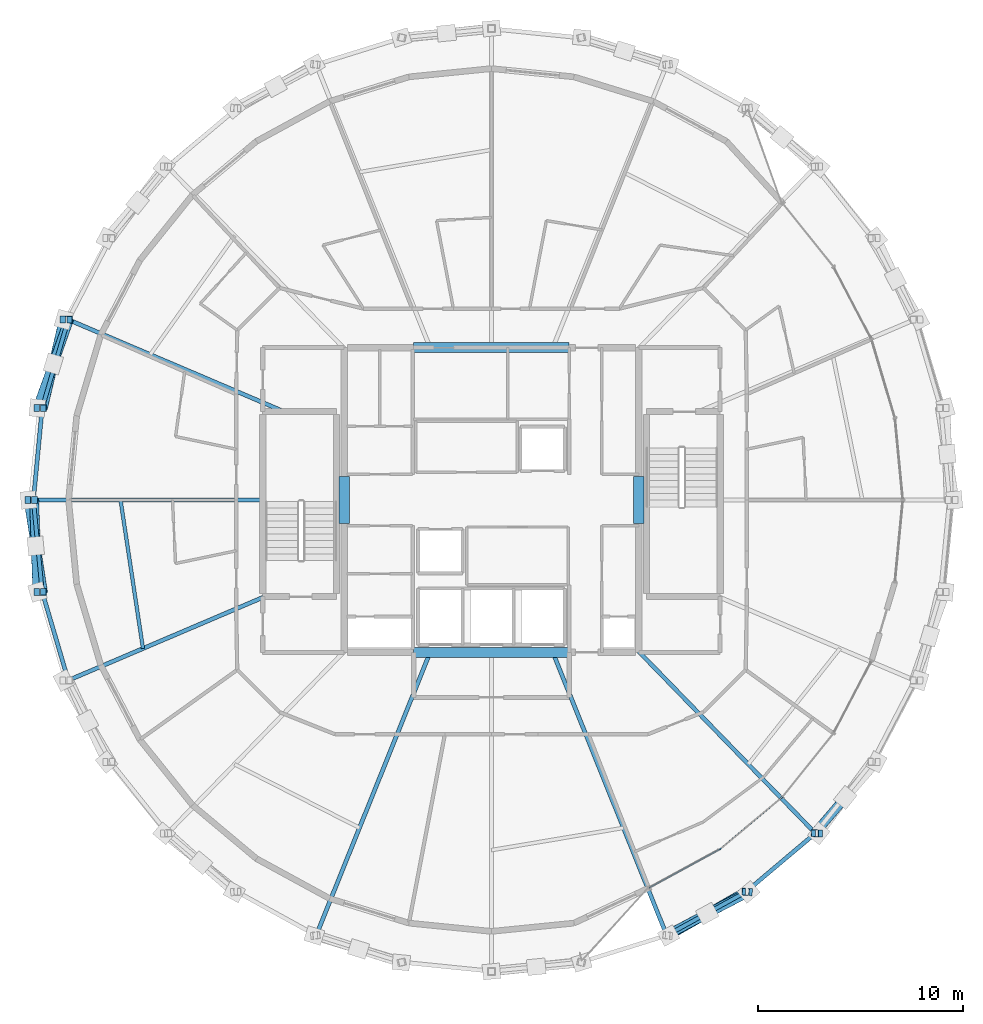
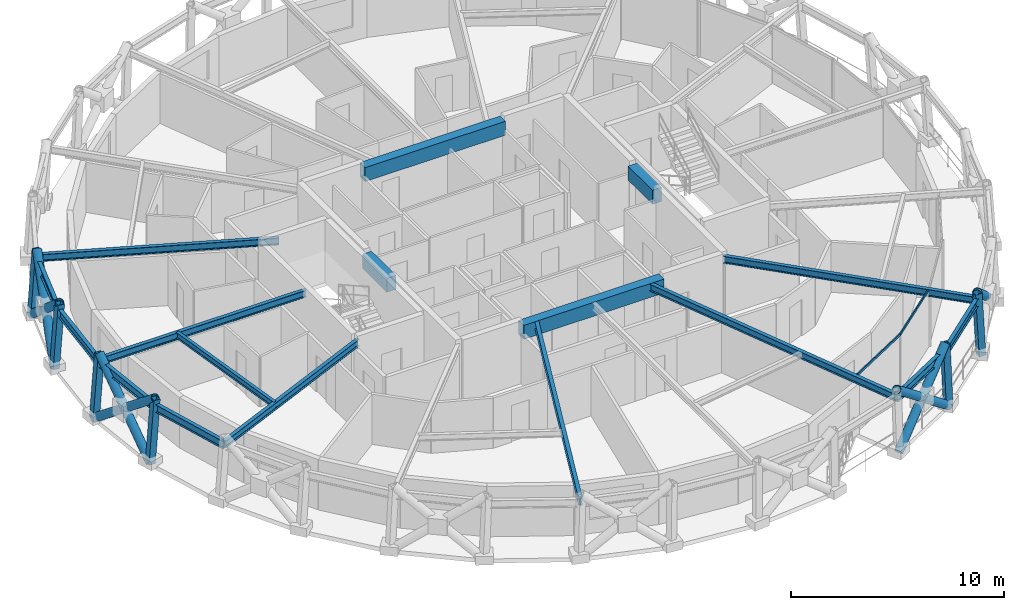
# One storey, part 3 of 15: 18 members, 17 beams, 1 element without a shape of its own.
"""IFC4 building model written with IfcOpenShell, lengths in metres."""

import ifcopenshell
import ifcopenshell.guid

model = None  # the IFC model being written
_history = None  # IfcOwnerHistory: only IFC2X3 demands one
_inside = {}  # id of a spatial element -> (the spatial element, [elements in it])
_under = {}  # id of a project, library or spatial element -> (it, [spatial elements below it])
_declared = {}  # id of a project -> (the project, [libraries it declares])
_typed = {}  # id of a type object -> (the type object, [elements of that type])
_made_of = {}  # id of a material, layer set ... -> (it, [elements and type objects made of it])


def new_model(schema):
    """Start an empty IFC model of exactly this schema.

    Asked for "IFC4X3", IfcOpenShell would pick the latest addendum, in which some entities
    have other attributes; the version numbers below select the first issue.
    IFC2X3 requires an IfcOwnerHistory on every rooted entity: one is made here for all.
    """
    global model, _history
    if schema == "IFC4X3":
        model = ifcopenshell.file(schema_version=(4, 3, 0, 0))
    else:
        model = ifcopenshell.file(schema=schema)
    _inside.clear()
    _under.clear()
    _declared.clear()
    _typed.clear()
    _made_of.clear()
    _history = None
    if model.schema == "IFC2X3":
        org = make("IfcOrganization", Name="unknown")
        user = make(
            "IfcPersonAndOrganization",
            ThePerson=make("IfcPerson", FamilyName="unknown"),
            TheOrganization=org,
        )
        app = make(
            "IfcApplication",
            ApplicationDeveloper=org,
            Version="unknown",
            ApplicationFullName="unknown",
            ApplicationIdentifier="unknown",
        )
        _history = make(
            "IfcOwnerHistory",
            OwningUser=user,
            OwningApplication=app,
            ChangeAction="ADDED",
            CreationDate=0,
        )
    return model


def make(cls, **values):
    """One entity of the class cls with the attributes given. An attribute that is None is left unset."""
    return model.create_entity(
        cls, **{name: value for name, value in values.items() if value is not None}
    )


def rooted(cls, **values):
    """An entity with a GlobalId (a new one), such as an element, a storey or a relation."""
    return make(cls, GlobalId=ifcopenshell.guid.new(), OwnerHistory=_history, **values)


def si_unit(unit_type, name, prefix=None):
    """IfcSIUnit, for example si_unit("LENGTHUNIT", "METRE", prefix="MILLI")."""
    return make("IfcSIUnit", UnitType=unit_type, Prefix=prefix, Name=name)


def assignment(units):
    """IfcUnitAssignment: the units of a project."""
    return None if units is None else make("IfcUnitAssignment", Units=units)


def point(xyz):
    """IfcCartesianPoint."""
    return None if xyz is None else make("IfcCartesianPoint", Coordinates=xyz)


def direction(xyz):
    """IfcDirection."""
    return None if xyz is None else make("IfcDirection", DirectionRatios=xyz)


def frame(location, z_axis=None, x_axis=None):
    """IfcAxis2Placement3D, a coordinate frame: its origin and axes. An axis left out is left unset."""
    return make(
        "IfcAxis2Placement3D",
        Location=point(location),
        Axis=direction(z_axis),
        RefDirection=direction(x_axis),
    )


def frame_2d(location, x_axis=None):
    """IfcAxis2Placement2D, a coordinate frame in the plane: its origin and x axis."""
    return make(
        "IfcAxis2Placement2D", Location=point(location), RefDirection=direction(x_axis)
    )


def origin():
    """The frame at (0, 0, 0) with its axes left unset."""
    return frame((0.0, 0.0, 0.0))


def origin_2d():
    """The frame at (0, 0) in the plane with its x axis left unset."""
    return frame_2d((0.0, 0.0))


def place(relative_to, where):
    """IfcLocalPlacement: puts the frame where relative to a parent placement (None: the world)."""
    return make(
        "IfcLocalPlacement", PlacementRelTo=relative_to, RelativePlacement=where
    )


def context(
    kind, dimensions, precision=None, world=None, true_north=None, identifier=None
):
    """IfcGeometricRepresentationContext, for example the 3D "Model" context."""
    return make(
        "IfcGeometricRepresentationContext",
        ContextIdentifier=identifier,
        ContextType=kind,
        CoordinateSpaceDimension=dimensions,
        Precision=precision,
        WorldCoordinateSystem=world,
        TrueNorth=true_north,
    )


def subcontext(parent, identifier, kind, view, scale=None):
    """IfcGeometricRepresentationSubContext, for example "Body" below "Model"."""
    return make(
        "IfcGeometricRepresentationSubContext",
        ContextIdentifier=identifier,
        ContextType=kind,
        ParentContext=parent,
        TargetScale=scale,
        TargetView=view,
    )


def project(units=None, contexts=None):
    """IfcProject with its units and contexts."""
    return rooted(
        "IfcProject",
        Name="project",
        RepresentationContexts=contexts,
        UnitsInContext=assignment(units),
    )


def spatial(cls, under=None, at=None, **own):
    """A site, building, storey or space (cls), placed at a placement, below another one or the project."""
    s = rooted(cls, ObjectPlacement=at, **own)
    if under is not None:
        _under.setdefault(under.id(), (under, []))[1].append(s)
    return s


def profile(cls, at=None, kind="AREA", **sizes):
    """A parametric profile (cls). Its sizes go by their IFC names, for example OverallWidth=200.0."""
    return make(cls, ProfileType=kind, Position=at, **sizes)


def rectangle(**sizes):
    """IfcRectangleProfileDef."""
    return profile("IfcRectangleProfileDef", **sizes)


def hollow_rectangle(**sizes):
    """IfcRectangleHollowProfileDef."""
    return profile("IfcRectangleHollowProfileDef", **sizes)


def hollow_circle(**sizes):
    """IfcCircleHollowProfileDef."""
    return profile("IfcCircleHollowProfileDef", **sizes)


def i_section(**sizes):
    """IfcIShapeProfileDef."""
    return profile("IfcIShapeProfileDef", **sizes)


def extrude(swept, where, along, depth):
    """IfcExtrudedAreaSolid: the profile swept, set in the frame where, extruded along a direction by depth."""
    return make(
        "IfcExtrudedAreaSolid",
        SweptArea=swept,
        Position=where,
        ExtrudedDirection=direction(along),
        Depth=depth,
    )


def shape(context_of_items, identifier, shape_type, items):
    """IfcShapeRepresentation: the items that make up one representation, for example the "Body"."""
    return make(
        "IfcShapeRepresentation",
        ContextOfItems=context_of_items,
        RepresentationIdentifier=identifier,
        RepresentationType=shape_type,
        Items=items,
    )


def material(Name=None, Category=None):
    """IfcMaterial."""
    return make("IfcMaterial", Name=Name, Category=Category)


def layer(
    of_material, thickness, ventilated=None, Name=None, Category=None, Priority=None
):
    """IfcMaterialLayer: one layer of a wall or slab, of a material (None: an air gap)."""
    return make(
        "IfcMaterialLayer",
        Material=of_material,
        LayerThickness=thickness,
        IsVentilated=ventilated,
        Name=Name,
        Category=Category,
        Priority=Priority,
    )


def layer_set(layers, Name=None):
    """IfcMaterialLayerSet."""
    return make("IfcMaterialLayerSet", MaterialLayers=layers, LayerSetName=Name)


def material_profile(
    of_material, cross_section, Name=None, Category=None, Priority=None
):
    """IfcMaterialProfile: a cross section and its material."""
    return make(
        "IfcMaterialProfile",
        Name=Name,
        Material=of_material,
        Profile=cross_section,
        Priority=Priority,
        Category=Category,
    )


def profile_set(profiles, Name=None, composite=None):
    """IfcMaterialProfileSet."""
    return make(
        "IfcMaterialProfileSet",
        Name=Name,
        MaterialProfiles=profiles,
        CompositeProfile=composite,
    )


def made_of(thing, what):
    """Note that an element or type object is made of a material, layer set ...; save() writes the relation."""
    if what is not None:
        _made_of.setdefault(what.id(), (what, []))[1].append(thing)
    return thing


def type_object(cls, material=None, **own):
    """A type object (cls), such as IfcWallType, which elements share."""
    return made_of(rooted(cls, **own), material)


def element(
    cls,
    number,
    at=None,
    inside=None,
    cuts=None,
    type_object=None,
    material=None,
    context=None,
    identifier="Body",
    shape_type=None,
    held_by="IfcProductDefinitionShape",
    body=None,
    shapes=None,
    **own,
):
    """One element of the class cls, such as IfcWall. Its Tag is "e" and its number.

    at: its placement. inside: the storey or other place that contains it. cuts: it is an
    opening in that element (IfcRelVoidsElement). A single representation is given by context,
    identifier, shape_type and body (its items); several are given by shapes. held_by: the class
    of the entity that holds the representations. save() writes the other relations.
    """
    e = rooted(cls, Tag="e%d" % number, ObjectPlacement=at, **own)
    if body is not None:
        shapes = [shape(context, identifier, shape_type, body)]
    if shapes is not None:
        e.Representation = make(held_by, Representations=shapes)
    if inside is not None:
        _inside.setdefault(inside.id(), (inside, []))[1].append(e)
    if cuts is not None:
        rooted(
            "IfcRelVoidsElement", RelatingBuildingElement=cuts, RelatedOpeningElement=e
        )
    if type_object is not None:
        _typed.setdefault(type_object.id(), (type_object, []))[1].append(e)
    return made_of(e, material)


def aggregate(whole, parts):
    """IfcRelAggregates: a whole, such as a stair, and the parts it consists of."""
    return rooted("IfcRelAggregates", RelatingObject=whole, RelatedObjects=parts)


def save(model, path):
    """Write the relations noted so far, then the file.

    IfcRelAggregates (storeys below a building ...), IfcRelContainedInSpatialStructure (elements
    in a storey), IfcRelDefinesByType, IfcRelAssociatesMaterial and IfcRelDeclares: one each for
    every whole, place, type object, material and project.
    """
    for whole, parts in _under.values():
        aggregate(whole, parts)
    for where, things in _inside.values():
        rooted(
            "IfcRelContainedInSpatialStructure",
            RelatedElements=things,
            RelatingStructure=where,
        )
    for kind, things in _typed.values():
        rooted("IfcRelDefinesByType", RelatedObjects=things, RelatingType=kind)
    for what, things in _made_of.values():
        rooted("IfcRelAssociatesMaterial", RelatedObjects=things, RelatingMaterial=what)
    for by, libraries in _declared.values():
        rooted("IfcRelDeclares", RelatingContext=by, RelatedDefinitions=libraries)
    model.write(path)


model = new_model("IFC4")

# Units and contexts
model_context = context("Model", 3, precision=1e-05, world=origin(), true_north=direction((0.0, 1.0)))
body_context = subcontext(model_context, "Body", "Model", "MODEL_VIEW")
ifc_project = project(units=[si_unit("LENGTHUNIT", "METRE"), si_unit("AREAUNIT", "SQUARE_METRE"), si_unit("VOLUMEUNIT", "CUBIC_METRE"), si_unit("PLANEANGLEUNIT", "RADIAN"), si_unit("MASSUNIT", "GRAM", prefix="KILO")], contexts=[model_context])

# Site, building, storey
site_placement = place(None, origin())
site = spatial("IfcSite", under=ifc_project, at=site_placement, CompositionType="ELEMENT")
building_placement = place(site_placement, origin())
building = spatial("IfcBuilding", under=site, at=building_placement, Name="Veldorina Hangang Commons", CompositionType="ELEMENT")
storey_placement = place(building_placement, frame((0.0, 0.0, 254.39990234375)))
storey = spatial("IfcBuildingStorey", under=building, at=storey_placement, Name="L66", CompositionType="ELEMENT", Elevation=254.39990234375)

# Beams
ifc_material_1 = material(Name="Concrete C50/60", Category="concrete")
ifc_material_profile_1 = material_profile(ifc_material_1, rectangle(XDim=0.5, YDim=0.800048828125, at=origin_2d()), Name="RC-CB-500x800")
ifc_profile_set_1 = profile_set([ifc_material_profile_1], Name="Concrete C50/60")
beam_type_1 = type_object("IfcBeamType", Name="BM-CB800", PredefinedType="LINTEL", material=ifc_profile_set_1)
for number, where, z_axis, x_axis, name in (
    (1, (24.800048828125, 22.85009765625, 2.960205078125), (0.0, 1.0, 0.0), (-1.0, 0.0, 0.0), "L66 W core coupling lintel beam"),
    (2, (39.199951171875, 22.85009765625, 2.960205078125), (0.0, 1.0, 0.0), (-1.0, 0.0, 0.0), "L66 E core coupling lintel beam"),
):
    element("IfcBeam", number, at=place(storey_placement, frame(where, z_axis=z_axis, x_axis=x_axis)), inside=storey, type_object=beam_type_1, Name=name, PredefinedType="LINTEL", context=body_context, shape_type="SweptSolid", body=[
        extrude(rectangle(XDim=0.5, YDim=0.800048828125, at=origin_2d()), origin(), (0.0, 0.0, 1.0), 2.2998046875),
    ])
for number, where, z_axis, x_axis, name in (
    (3, (28.199951171875, 16.550048828125, 2.960205078125), (1.0, 0.0, 0.0), (0.0, 1.0, 0.0), "L66 south core coupling beam"),
    (4, (28.199951171875, 31.449951171875, 2.960205078125), (1.0, 0.0, 0.0), (0.0, 1.0, 0.0), "L66 north core coupling beam"),
):
    element("IfcBeam", number, at=place(storey_placement, frame(where, z_axis=z_axis, x_axis=x_axis)), inside=storey, type_object=beam_type_1, Name=name, PredefinedType="LINTEL", context=body_context, shape_type="SweptSolid", body=[
        extrude(rectangle(XDim=0.5, YDim=0.800048828125, at=origin_2d()), origin(), (0.0, 0.0, 1.0), 7.60009765625),
    ])
ifc_material_2 = material(Name="Steel SM355-TMC", Category="steel")
ifc_material_profile_2 = material_profile(ifc_material_2, i_section(OverallWidth=0.199951171875, OverallDepth=0.39990234375, WebThickness=0.008056640625, FlangeThickness=0.012939453125, FilletRadius=0.012939453125, at=origin_2d()), Name="H-400x200x8x13")
ifc_profile_set_2 = profile_set([ifc_material_profile_2], Name="Steel SM355-TMC")
beam_type_2 = type_object("IfcBeamType", Name="BM-FG400", PredefinedType="BEAM", material=ifc_profile_set_2)
beam_1_placement = place(storey_placement, frame((21.86328125, 28.320068359375, 3.16015625), z_axis=(-0.919941646618, 0.392055310917, 0.0), x_axis=(-0.392055310917, -0.919941646618, 0.0)))
element("IfcBeam", 5, at=beam_1_placement, inside=storey, type_object=beam_type_2, Name="L66 radial floor girder 08", PredefinedType="BEAM", context=body_context, shape_type="SweptSolid", body=[
    extrude(i_section(OverallWidth=0.199951171875, OverallDepth=0.39990234375, WebThickness=0.008056640625, FlangeThickness=0.012939453125, FilletRadius=0.012939453125, at=origin_2d()), origin(), (0.0, 0.0, 1.0), 11.465576171875),
])
beam_2_placement = place(storey_placement, frame((20.820068359375, 24.0, 3.16015625), z_axis=(-1.0, 0.0, 0.0), x_axis=(0.0, -1.0, 0.0)))
element("IfcBeam", 6, at=beam_2_placement, inside=storey, type_object=beam_type_2, Name="L66 radial floor girder 09", PredefinedType="BEAM", context=body_context, shape_type="SweptSolid", body=[
    extrude(i_section(OverallWidth=0.199951171875, OverallDepth=0.39990234375, WebThickness=0.008056640625, FlangeThickness=0.012939453125, FilletRadius=0.012939453125, at=origin_2d()), origin(), (0.0, 0.0, 1.0), 11.208740234375),
])
beam_3_placement = place(storey_placement, frame((20.9248046875, 19.280029296875, 3.16015625), z_axis=(-0.919939848742, -0.392059529531, 0.0), x_axis=(0.392059529531, -0.919939848742, 0.0)))
element("IfcBeam", 7, at=beam_3_placement, inside=storey, type_object=beam_type_2, Name="L66 radial floor girder 10", PredefinedType="BEAM", context=body_context, shape_type="SweptSolid", body=[
    extrude(i_section(OverallWidth=0.199951171875, OverallDepth=0.39990234375, WebThickness=0.008056640625, FlangeThickness=0.012939453125, FilletRadius=0.012939453125, at=origin_2d()), origin(), (0.0, 0.0, 1.0), 10.4453125),
])
for number, where, z_axis, x_axis, name in (
    (8, (29.000732421875, 16.550048828125, 3.16015625), (-0.373456257495, -0.92764779078, 0.0), (0.92764779078, -0.373456257495, 0.0), "L66 radial floor girder 12"),
    (9, (34.999267578125, 16.550048828125, 3.16015625), (0.373456257495, -0.92764779078, 0.0), (0.92764779078, 0.373456257495, 0.0), "L66 radial floor girder 14"),
):
    element("IfcBeam", number, at=place(storey_placement, frame(where, z_axis=z_axis, x_axis=x_axis)), inside=storey, type_object=beam_type_2, Name=name, PredefinedType="BEAM", context=body_context, shape_type="SweptSolid", body=[
        extrude(i_section(OverallWidth=0.199951171875, OverallDepth=0.39990234375, WebThickness=0.008056640625, FlangeThickness=0.012939453125, FilletRadius=0.012939453125, at=origin_2d()), origin(), (0.0, 0.0, 1.0), 14.910400390625),
    ])
beam_4_placement = place(storey_placement, frame((39.199951171875, 16.59228515625, 3.16015625), z_axis=(0.696970842647, -0.717099466253, 0.0), x_axis=(0.717099466253, 0.696970842647, 0.0)))
element("IfcBeam", 10, at=beam_4_placement, inside=storey, type_object=beam_type_2, Name="L66 radial floor girder 15", PredefinedType="BEAM", context=body_context, shape_type="SweptSolid", body=[
    extrude(i_section(OverallWidth=0.199951171875, OverallDepth=0.39990234375, WebThickness=0.008056640625, FlangeThickness=0.012939453125, FilletRadius=0.012939453125, at=origin_2d()), origin(), (0.0, 0.0, 1.0), 12.3837890625),
])
ifc_material_profile_3 = material_profile(ifc_material_2, i_section(OverallWidth=0.175048828125, OverallDepth=0.35009765625, WebThickness=0.007080078125, FlangeThickness=0.010986328125, FilletRadius=0.012939453125, at=origin_2d()), Name="H-350x175x7x11")
ifc_profile_set_3 = profile_set([ifc_material_profile_3], Name="Steel SM355-TMC")
beam_type_3 = type_object("IfcBeamType", Name="BM-JST350", PredefinedType="JOIST", material=ifc_profile_set_3)
beam_5_placement = place(storey_placement, frame((13.87060546875, 24.0, 3.18505859375), z_axis=(0.149350235528, -0.988784358264, 0.0), x_axis=(0.988784358264, 0.149350235528, 0.0)))
element("IfcBeam", 11, at=beam_5_placement, inside=storey, type_object=beam_type_3, Name="L66 secondary floor joist 09", PredefinedType="JOIST", context=body_context, shape_type="SweptSolid", body=[
    extrude(i_section(OverallWidth=0.175048828125, OverallDepth=0.35009765625, WebThickness=0.007080078125, FlangeThickness=0.010986328125, FilletRadius=0.012939453125, at=origin_2d()), origin(), (0.0, 0.0, 1.0), 7.34130859375),
])
ifc_material_profile_4 = material_profile(ifc_material_2, i_section(OverallWidth=0.199951171875, OverallDepth=0.449951171875, WebThickness=0.009033203125, FlangeThickness=0.013916015625, FilletRadius=0.01611328125, at=origin_2d()), Name="H-450x200x9x14")
ifc_profile_set_4 = profile_set([ifc_material_profile_4], Name="Steel SM355-TMC")
beam_type_4 = type_object("IfcBeamType", Name="BM-RB450", PredefinedType="BEAM", material=ifc_profile_set_4)
beam_6_placement = place(storey_placement, frame((11.315673828125, 32.815185546875, 3.135009765625), z_axis=(-0.282820514427, -0.959172850231, 0.0), x_axis=(0.959172850231, -0.282820514427, 0.0)))
element("IfcBeam", 12, at=beam_6_placement, inside=storey, type_object=beam_type_4, Name="L66 perimeter hoop ring beam 14", PredefinedType="BEAM", context=body_context, shape_type="SweptSolid", body=[
    extrude(i_section(OverallWidth=0.199951171875, OverallDepth=0.449951171875, WebThickness=0.009033203125, FlangeThickness=0.013916015625, FilletRadius=0.01611328125, at=origin_2d()), origin(), (0.0, 0.0, 1.0), 4.505126953125),
])
for number, where, z_axis, x_axis, name in (
    (13, (10.04150390625, 28.493896484375, 3.135009765625), (-0.095288874083, -0.995449662452, 0.0), (0.995449662452, -0.095288874083, 0.0), "L66 perimeter hoop ring beam 15"),
    (14, (9.611328125, 24.0, 3.135009765625), (0.095288874083, -0.995449662452, 0.0), (0.995449662452, 0.095288874083, 0.0), "L66 perimeter hoop ring beam 16"),
):
    element("IfcBeam", number, at=place(storey_placement, frame(where, z_axis=z_axis, x_axis=x_axis)), inside=storey, type_object=beam_type_4, Name=name, PredefinedType="BEAM", context=body_context, shape_type="SweptSolid", body=[
        extrude(i_section(OverallWidth=0.199951171875, OverallDepth=0.449951171875, WebThickness=0.009033203125, FlangeThickness=0.013916015625, FilletRadius=0.01611328125, at=origin_2d()), origin(), (0.0, 0.0, 1.0), 4.514404296875),
    ])
beam_7_placement = place(storey_placement, frame((10.04150390625, 19.506103515625, 3.135009765625), z_axis=(0.282820514427, -0.959172850231, 0.0), x_axis=(0.959172850231, 0.282820514427, 0.0)))
element("IfcBeam", 15, at=beam_7_placement, inside=storey, type_object=beam_type_4, Name="L66 perimeter hoop ring beam 17", PredefinedType="BEAM", context=body_context, shape_type="SweptSolid", body=[
    extrude(i_section(OverallWidth=0.199951171875, OverallDepth=0.449951171875, WebThickness=0.009033203125, FlangeThickness=0.013916015625, FilletRadius=0.01611328125, at=origin_2d()), origin(), (0.0, 0.0, 1.0), 4.505126953125),
])
beam_8_placement = place(storey_placement, frame((40.567626953125, 2.718505859375, 3.135009765625), z_axis=(0.876245078273, 0.481865710341, 0.0), x_axis=(-0.481865710341, 0.876245078273, 0.0)))
element("IfcBeam", 16, at=beam_8_placement, inside=storey, type_object=beam_type_4, Name="L66 perimeter hoop ring beam 26", PredefinedType="BEAM", context=body_context, shape_type="SweptSolid", body=[
    extrude(i_section(OverallWidth=0.199951171875, OverallDepth=0.449951171875, WebThickness=0.009033203125, FlangeThickness=0.013916015625, FilletRadius=0.01611328125, at=origin_2d()), origin(), (0.0, 0.0, 1.0), 4.41748046875),
])
beam_9_placement = place(storey_placement, frame((44.4384765625, 4.84716796875, 3.135009765625), z_axis=(0.764040756968, 0.645167979438, 0.0), x_axis=(-0.645167979438, 0.764040756968, 0.0)))
element("IfcBeam", 17, at=beam_9_placement, inside=storey, type_object=beam_type_4, Name="L66 perimeter hoop ring beam 27", PredefinedType="BEAM", context=body_context, shape_type="SweptSolid", body=[
    extrude(i_section(OverallWidth=0.199951171875, OverallDepth=0.449951171875, WebThickness=0.009033203125, FlangeThickness=0.013916015625, FilletRadius=0.01611328125, at=origin_2d()), origin(), (0.0, 0.0, 1.0), 4.4404296875),
])

# Curtain wall, members
ifc_material_3 = material(Name="Glass Low-E Selective", Category="glass")
ifc_layer = layer(ifc_material_3, 0.179931640625)
ifc_layer_set = layer_set([ifc_layer], Name="Glass Low-E Selective")
curtain_wall_type = type_object("IfcCurtainWallType", Name="CW-SYS-Z3", PredefinedType="NOTDEFINED", material=ifc_layer_set)
curtain_wall_placement = place(storey_placement, origin())
curtain_wall = element("IfcCurtainWall", 18, at=curtain_wall_placement, inside=storey, type_object=curtain_wall_type, Name="L66 unitised curtain wall CW-L66-R1", PredefinedType="NOTDEFINED")
ifc_material_4 = material(Name="Aluminium Anodized AA6063-T6", Category="aluminium")
ifc_material_profile_5 = material_profile(ifc_material_4, hollow_rectangle(XDim=0.06005859375, YDim=0.139892578125, WallThickness=0.00341796875, at=origin_2d()), Name="ALU-RHS-140x60x3.5")
ifc_profile_set_5 = profile_set([ifc_material_profile_5], Name="Aluminium Anodized AA6063-T6")
member_type_1 = type_object("IfcMemberType", Name="CW-TRN-140", PredefinedType="USERDEFINED", material=ifc_profile_set_5)
member_1_placement = place(storey_placement, frame((39.695556640625, 5.036865234375, 3.280029296875), z_axis=(0.877864945691, 0.47890827632, 0.0), x_axis=(-0.47890827632, 0.877864945691, 0.0)))
member_1 = element("IfcMember", 19, at=member_1_placement, type_object=member_type_1, Name="CW-L66-R1 facet 1 transom 1", ObjectType="TRANSOM", PredefinedType="USERDEFINED", context=body_context, shape_type="SweptSolid", body=[
    extrude(hollow_rectangle(XDim=0.06005859375, YDim=0.139892578125, WallThickness=0.00341796875, at=origin_2d()), origin(), (0.0, 0.0, 1.0), 3.96044921875),
])
member_2_placement = place(storey_placement, frame((43.17236328125, 6.93359375, 3.280029296875), z_axis=(0.766552348824, 0.642181825118, 0.0), x_axis=(-0.642181825118, 0.766552348824, 0.0)))
member_2 = element("IfcMember", 20, at=member_2_placement, type_object=member_type_1, Name="CW-L66-R1 facet 2 transom 1", ObjectType="TRANSOM", PredefinedType="USERDEFINED", context=body_context, shape_type="SweptSolid", body=[
    extrude(hollow_rectangle(XDim=0.06005859375, YDim=0.139892578125, WallThickness=0.00341796875, at=origin_2d()), origin(), (0.0, 0.0, 1.0), 3.97509765625),
])
aggregate(curtain_wall, [member_1, member_2])

# Members
ifc_material_profile_6 = material_profile(ifc_material_2, hollow_circle(Radius=0.22509765625, WallThickness=0.02197265625, at=origin_2d()), Name="CHS-450x22")
ifc_profile_set_6 = profile_set([ifc_material_profile_6], Name="Steel SM355-TMC")
member_type_2 = type_object("IfcMemberType", Name="DG-CHS450", PredefinedType="BRACE", material=ifc_profile_set_6)
member_3_placement = place(storey_placement, frame((11.093017578125, 32.819091796875, 0.0), z_axis=(-0.177726391017, -0.756372440462, 0.629534797486), x_axis=(0.973487022148, -0.228742251691, 0.0)))
element("IfcMember", 21, at=member_3_placement, inside=storey, type_object=member_type_2, Name="L66 continuous perimeter diagrid brace 14", PredefinedType="BRACE", context=body_context, shape_type="SweptSolid", body=[
    extrude(hollow_circle(Radius=0.22509765625, WallThickness=0.02197265625, at=origin_2d()), origin(), (0.0, 0.0, 1.0), 5.71875),
])
member_4_placement = place(storey_placement, frame((9.80517578125, 28.49609375, 0.0), z_axis=(0.267097101815, 0.739872360354, 0.617452855355), x_axis=(-0.940585990142, 0.33955558477, 0.0)))
element("IfcMember", 22, at=member_4_placement, inside=storey, type_object=member_type_2, Name="L66 split perimeter diagrid lower brace 15", PredefinedType="BRACE", context=body_context, shape_type="SweptSolid", body=[
    extrude(hollow_circle(Radius=0.22509765625, WallThickness=0.02197265625, at=origin_2d()), origin(), (0.0, 0.0, 1.0), 2.917724609375),
])
member_5_placement = place(storey_placement, frame((10.58447265625, 30.65478515625, 1.801513671875), z_axis=(0.262367102368, 0.741501401773, 0.617526659152), x_axis=(-0.942726397655, 0.333566993518, 0.0)))
element("IfcMember", 23, at=member_5_placement, inside=storey, type_object=member_type_2, Name="L66 split perimeter diagrid upper brace 15", PredefinedType="BRACE", context=body_context, shape_type="SweptSolid", body=[
    extrude(hollow_circle(Radius=0.22509765625, WallThickness=0.02197265625, at=origin_2d()), origin(), (0.0, 0.0, 1.0), 2.91259765625),
])
member_6_placement = place(storey_placement, frame((9.370361328125, 24.0, 0.0), z_axis=(0.121753091183, -0.774624056796, 0.620591456129), x_axis=(0.987871951214, 0.155270757083, 0.0)))
element("IfcMember", 24, at=member_6_placement, inside=storey, type_object=member_type_2, Name="L66 continuous perimeter diagrid brace 16", PredefinedType="BRACE", context=body_context, shape_type="SweptSolid", body=[
    extrude(hollow_circle(Radius=0.22509765625, WallThickness=0.02197265625, at=origin_2d()), origin(), (0.0, 0.0, 1.0), 5.801025390625),
])
member_7_placement = place(storey_placement, frame((9.80517578125, 19.50390625, 0.0), z_axis=(-0.028294821301, 0.780225461632, 0.624858089576), x_axis=(-0.999343075339, -0.036241106098, 0.0)))
element("IfcMember", 25, at=member_7_placement, inside=storey, type_object=member_type_2, Name="L66 split perimeter diagrid lower brace 17", PredefinedType="BRACE", context=body_context, shape_type="SweptSolid", body=[
    extrude(hollow_circle(Radius=0.22509765625, WallThickness=0.02197265625, at=origin_2d()), origin(), (0.0, 0.0, 1.0), 2.8818359375),
])
member_8_placement = place(storey_placement, frame((9.7236328125, 21.75244140625, 1.80078125), z_axis=(-0.026532541346, 0.780378835883, 0.62474386492), x_axis=(-0.999422515391, -0.033979931275, 0.0)))
element("IfcMember", 26, at=member_8_placement, inside=storey, type_object=member_type_2, Name="L66 split perimeter diagrid upper brace 17", PredefinedType="BRACE", context=body_context, shape_type="SweptSolid", body=[
    extrude(hollow_circle(Radius=0.22509765625, WallThickness=0.02197265625, at=origin_2d()), origin(), (0.0, 0.0, 1.0), 2.880126953125),
])
member_9_placement = place(storey_placement, frame((40.659912109375, 2.708740234375, 0.0), z_axis=(0.667947730953, 0.380221740327, 0.639747807263), x_axis=(-0.494703632698, 0.869061744524, 0.0)))
element("IfcMember", 27, at=member_9_placement, inside=storey, type_object=member_type_2, Name="L66 continuous perimeter diagrid brace 26", PredefinedType="BRACE", context=body_context, shape_type="SweptSolid", body=[
    extrude(hollow_circle(Radius=0.22509765625, WallThickness=0.02197265625, at=origin_2d()), origin(), (0.0, 0.0, 1.0), 5.62744140625),
])
member_10_placement = place(storey_placement, frame((44.572265625, 4.83837890625, 0.0), z_axis=(-0.695033201838, -0.362188592514, 0.6210863642), x_axis=(0.462127245811, -0.8868136268, 0.0)))
element("IfcMember", 28, at=member_10_placement, inside=storey, type_object=member_type_2, Name="L66 split perimeter diagrid lower brace 27", PredefinedType="BRACE", context=body_context, shape_type="SweptSolid", body=[
    extrude(hollow_circle(Radius=0.22509765625, WallThickness=0.02197265625, at=origin_2d()), origin(), (0.0, 0.0, 1.0), 2.911865234375),
])
member_11_placement = place(storey_placement, frame((42.54833984375, 3.78369140625, 1.80859375), z_axis=(-0.691488415234, -0.368810751031, 0.621146038803), x_axis=(0.470605053571, -0.882343971223, 0.0)))
element("IfcMember", 29, at=member_11_placement, inside=storey, type_object=member_type_2, Name="L66 split perimeter diagrid upper brace 27", PredefinedType="BRACE", context=body_context, shape_type="SweptSolid", body=[
    extrude(hollow_circle(Radius=0.22509765625, WallThickness=0.02197265625, at=origin_2d()), origin(), (0.0, 0.0, 1.0), 2.88427734375),
])
member_12_placement = place(storey_placement, frame((49.296875, 9.45849609375, 1.8046875), z_axis=(-0.511589482952, -0.598962633552, 0.616051917083), x_axis=(0.76038899638, -0.649467916209, 0.0)))
element("IfcMember", 30, at=member_12_placement, inside=storey, type_object=member_type_2, Name="L66 split perimeter diagrid upper brace 29", PredefinedType="BRACE", context=body_context, shape_type="SweptSolid", body=[
    extrude(hollow_circle(Radius=0.22509765625, WallThickness=0.02197265625, at=origin_2d()), origin(), (0.0, 0.0, 1.0), 2.914306640625),
])
ifc_material_profile_7 = material_profile(ifc_material_2, hollow_rectangle(XDim=0.35009765625, YDim=0.35009765625, WallThickness=0.01611328125, at=origin_2d()), Name="SHS-350x350x16")
ifc_profile_set_7 = profile_set([ifc_material_profile_7], Name="Steel SM355-TMC")
member_type_3 = type_object("IfcMemberType", Name="STR-SHS350", PredefinedType="STRUT", material=ifc_profile_set_7)
member_13_placement = place(storey_placement, frame((11.093017578125, 32.819091796875, 0.0), z_axis=(0.070823948145, -0.001285248343, 0.997488003189), x_axis=(0.018144099583, 0.999835382276, 0.0)))
element("IfcMember", 31, at=member_13_placement, inside=storey, type_object=member_type_3, Name="L66 perimeter ring node post 14", PredefinedType="STRUT", context=body_context, shape_type="SweptSolid", body=[
    extrude(hollow_rectangle(XDim=0.35009765625, YDim=0.35009765625, WallThickness=0.01611328125, at=origin_2d()), origin(), (0.0, 0.0, 1.0), 3.609130859375),
])
member_14_placement = place(storey_placement, frame((9.80517578125, 28.49609375, 0.0), z_axis=(0.075196755534, -0.000676229816, 0.997168486601), x_axis=(0.008992442151, 0.999959567175, 0.0)))
element("IfcMember", 32, at=member_14_placement, inside=storey, type_object=member_type_3, Name="L66 perimeter ring node post 15", PredefinedType="STRUT", context=body_context, shape_type="SweptSolid", body=[
    extrude(hollow_rectangle(XDim=0.35009765625, YDim=0.35009765625, WallThickness=0.01611328125, at=origin_2d()), origin(), (0.0, 0.0, 1.0), 3.6103515625),
])
member_15_placement = place(storey_placement, frame((9.370361328125, 24.0, 0.0), z_axis=(0.076675816523, 0.0, 0.997056076237), x_axis=(0.0, 1.0, 0.0)))
element("IfcMember", 33, at=member_15_placement, inside=storey, type_object=member_type_3, Name="L66 perimeter ring node post 16", PredefinedType="STRUT", context=body_context, shape_type="SweptSolid", body=[
    extrude(hollow_rectangle(XDim=0.35009765625, YDim=0.35009765625, WallThickness=0.01611328125, at=origin_2d()), origin(), (0.0, 0.0, 1.0), 3.61083984375),
])
member_16_placement = place(storey_placement, frame((9.80517578125, 19.50390625, 0.0), z_axis=(0.075196755534, 0.000676229816, 0.997168486601), x_axis=(-0.008992442151, 0.999959567175, 0.0)))
element("IfcMember", 34, at=member_16_placement, inside=storey, type_object=member_type_3, Name="L66 perimeter ring node post 17", PredefinedType="STRUT", context=body_context, shape_type="SweptSolid", body=[
    extrude(hollow_rectangle(XDim=0.35009765625, YDim=0.35009765625, WallThickness=0.01611328125, at=origin_2d()), origin(), (0.0, 0.0, 1.0), 3.6103515625),
])
member_17_placement = place(storey_placement, frame((44.572265625, 4.83837890625, 0.0), z_axis=(-0.04261671784, 0.002777878269, 0.99908763317), x_axis=(-0.065044795148, -0.997882345081, 0.0)))
element("IfcMember", 35, at=member_17_placement, inside=storey, type_object=member_type_3, Name="L66 perimeter ring node post 27", PredefinedType="STRUT", context=body_context, shape_type="SweptSolid", body=[
    extrude(hollow_rectangle(XDim=0.35009765625, YDim=0.35009765625, WallThickness=0.01611328125, at=origin_2d()), origin(), (0.0, 0.0, 1.0), 3.603271484375),
])
member_18_placement = place(storey_placement, frame((48.00146484375, 7.704345703125, 0.0), z_axis=(-0.054239700947, 0.002370024386, 0.998525131294), x_axis=(-0.043653726915, -0.999046721693, 0.0)))
element("IfcMember", 36, at=member_18_placement, inside=storey, type_object=member_type_3, Name="L66 perimeter ring node post 28", PredefinedType="STRUT", context=body_context, shape_type="SweptSolid", body=[
    extrude(hollow_rectangle(XDim=0.35009765625, YDim=0.35009765625, WallThickness=0.01611328125, at=origin_2d()), origin(), (0.0, 0.0, 1.0), 3.60546875),
])

save(model, "model.ifc")
